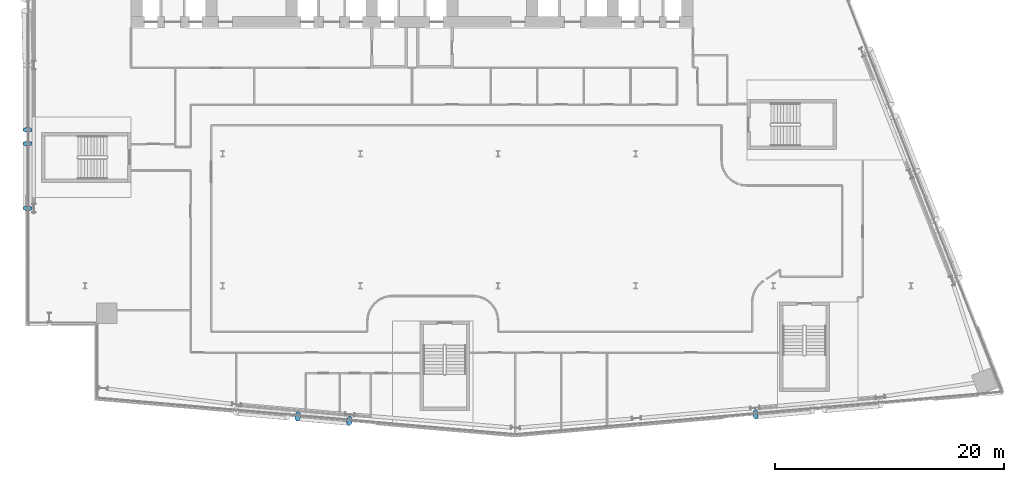
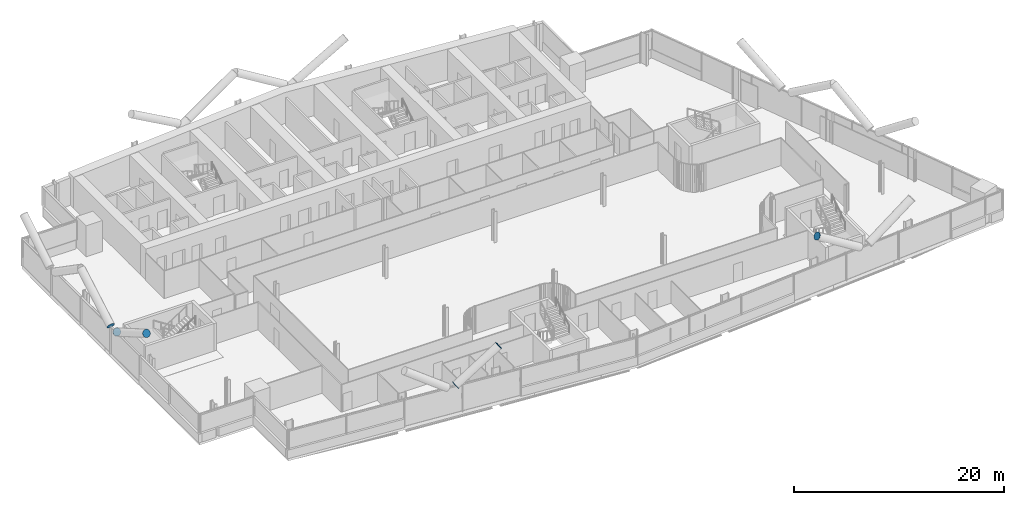
# One storey, part 25 of 31: 6 discrete accessories.
"""IFC4 building model written with IfcOpenShell, lengths in metres."""

from ifc_helpers import new_model, si_unit, direction, frame, origin, origin_2d, place, context, subcontext, project, spatial, circle, extrude, material, material_profile, profile_set, type_object, element, save


model = new_model("IFC4")

# Units and contexts
model_context = context("Model", 3, precision=1e-05, world=origin(), true_north=direction((0.0, 1.0)))
body_context = subcontext(model_context, "Body", "Model", "MODEL_VIEW")
ifc_project = project(units=[si_unit("LENGTHUNIT", "METRE"), si_unit("AREAUNIT", "SQUARE_METRE"), si_unit("VOLUMEUNIT", "CUBIC_METRE"), si_unit("PLANEANGLEUNIT", "RADIAN"), si_unit("MASSUNIT", "GRAM", prefix="KILO")], contexts=[model_context])

# Site, building, storey
site_placement = place(None, origin())
site = spatial("IfcSite", under=ifc_project, at=site_placement, CompositionType="ELEMENT")
building_placement = place(site_placement, origin())
building = spatial("IfcBuilding", under=site, at=building_placement, Name="Wharfspan Tower", CompositionType="ELEMENT")
storey_placement = place(building_placement, frame((0.0, 0.0, 103.899902)))
storey = spatial("IfcBuildingStorey", under=building, at=storey_placement, Name="L23", CompositionType="ELEMENT", Elevation=103.899902)

# Discrete accessories
ifc_material = material(Name="Steel S460NH", Category="steel")
ifc_material_profile = material_profile(ifc_material, circle(Radius=0.406494, at=origin_2d()))
ifc_profile_set = profile_set([ifc_material_profile], Name="Steel S460NH")
discrete_accessory_type = type_object("IfcDiscreteAccessoryType", Name="End plate CHS 813x40", PredefinedType="BRACKET", material=ifc_profile_set)
for number, where, z_axis, x_axis, name in (
    (1, (30.543457, 0.125244, 3.221191), (0.806559, -0.073324, 0.586588), (0.090536, 0.99589, 0.0), "End plate CHS 813x40"),
    (2, (35.040771, -0.268311, 6.5), (0.806559, -0.073324, 0.586588), (0.090536, 0.99589, 0.0), "End plate CHS 813x40"),
    (3, (70.452393, 0.299805, 6.5), (-0.82608, -0.072889, 0.558819), (0.087894, -0.99613, 1e-06), "End plate CHS 813x40"),
):
    element("IfcDiscreteAccessory", number, at=place(storey_placement, frame(where, z_axis=z_axis, x_axis=x_axis)), inside=storey, type_object=discrete_accessory_type, Name=name, PredefinedType="BRACKET", context=body_context, shape_type="SweptSolid", body=[
        extrude(circle(Radius=0.406494, at=origin_2d()), origin(), (0.0, 0.0, 1.0), 0.01001),
    ])
discrete_accessory_1_placement = place(storey_placement, frame((6.985107, 23.902588, 3.245117), z_axis=(0.0, -0.868243, 0.496139), x_axis=(1.0, 0.0, 0.0)))
element("IfcDiscreteAccessory", 4, at=discrete_accessory_1_placement, inside=storey, type_object=discrete_accessory_type, Name="End plate CHS 813x40", PredefinedType="BRACKET", context=body_context, shape_type="SweptSolid", body=[
    extrude(circle(Radius=0.406494, at=origin_2d()), origin(), (0.0, 0.0, 1.0), 0.009766),
])
discrete_accessory_2_placement = place(storey_placement, frame((6.985107, 18.266602, 6.5), z_axis=(0.0, -0.857493, 0.514496), x_axis=(1.0, 0.0, 0.0)))
element("IfcDiscreteAccessory", 5, at=discrete_accessory_2_placement, inside=storey, type_object=discrete_accessory_type, Name="End plate CHS 813x40", PredefinedType="BRACKET", context=body_context, shape_type="SweptSolid", body=[
    extrude(circle(Radius=0.406494, at=origin_2d()), origin(), (0.0, 0.0, 1.0), 0.01001),
])
discrete_accessory_3_placement = place(storey_placement, frame((6.985107, 25.097412, 3.245117), z_axis=(0.0, 0.868243, 0.496139), x_axis=(-1.0, 0.0, 0.0)))
element("IfcDiscreteAccessory", 6, at=discrete_accessory_3_placement, inside=storey, type_object=discrete_accessory_type, Name="End plate CHS 813x40", PredefinedType="BRACKET", context=body_context, shape_type="SweptSolid", body=[
    extrude(circle(Radius=0.406494, at=origin_2d()), origin(), (0.0, 0.0, 1.0), 0.009766),
])

save(model, "model.ifc")
